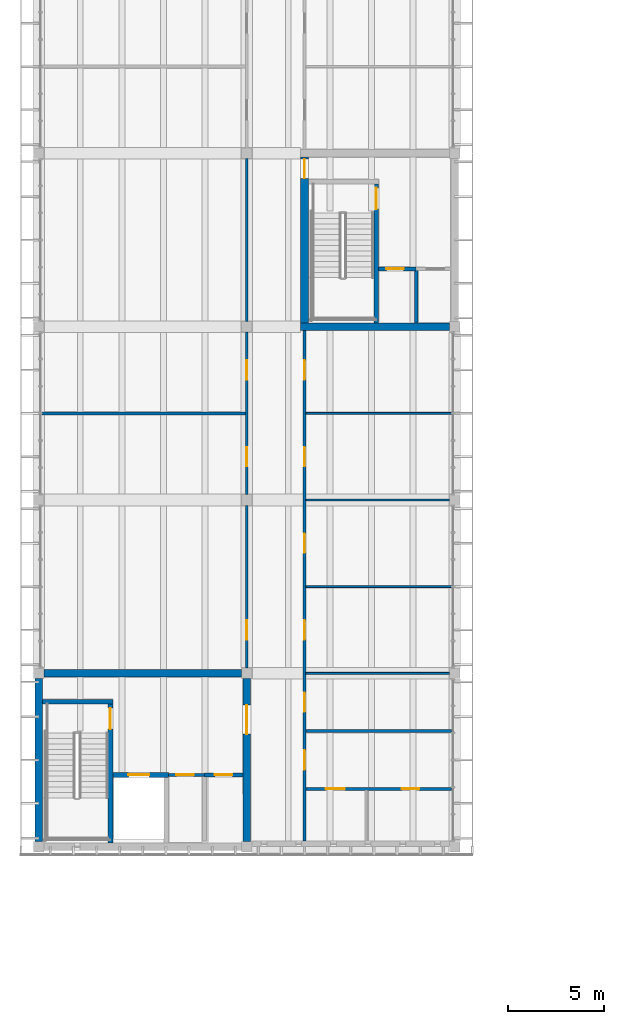
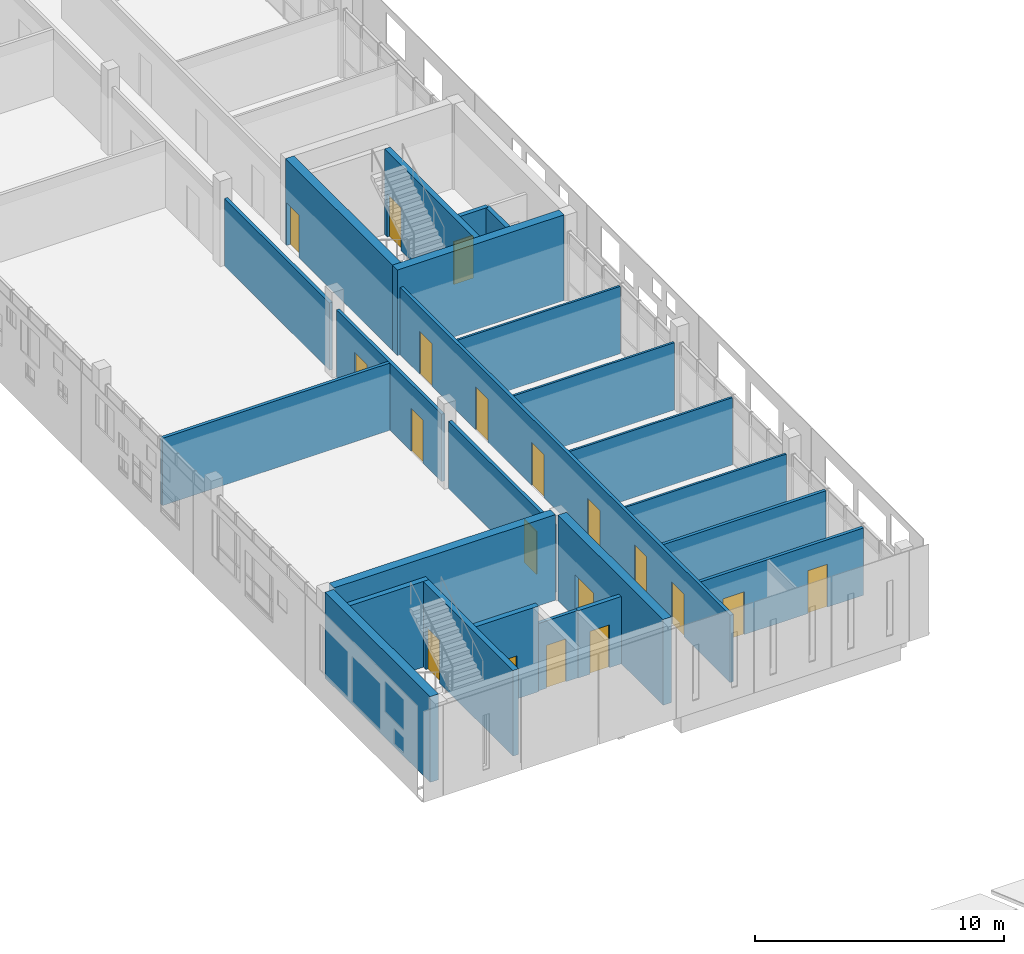
# One storey, part 44 of 74: 24 walls, 19 doors, 19 openings.
"""IFC4 building model written with IfcOpenShell, lengths in metres."""

from ifc_helpers import new_model, si_unit, direction, frame, frame_2d, origin, place, context, subcontext, project, spatial, rectangle, extrude, material, layer, layer_set, type_object, element, fill, save


model = new_model("IFC4")

# Units and contexts
model_context = context("Model", 3, precision=1e-05, world=origin(), true_north=direction((0.0, 1.0)))
body_context = subcontext(model_context, "Body", "Model", "MODEL_VIEW")
ifc_project = project(units=[si_unit("LENGTHUNIT", "METRE"), si_unit("AREAUNIT", "SQUARE_METRE"), si_unit("VOLUMEUNIT", "CUBIC_METRE"), si_unit("PLANEANGLEUNIT", "RADIAN"), si_unit("MASSUNIT", "GRAM", prefix="KILO")], contexts=[model_context])

# Site, building, storey
site_placement = place(None, origin())
site = spatial("IfcSite", under=ifc_project, at=site_placement, CompositionType="ELEMENT")
building_placement = place(site_placement, origin())
building = spatial("IfcBuilding", under=site, at=building_placement, Name="Merrow Basin Faculty of Sciences", CompositionType="ELEMENT")
storey_placement = place(building_placement, frame((0.0, 0.0, 13.5)))
storey = spatial("IfcBuildingStorey", under=building, at=storey_placement, Name="L03", CompositionType="ELEMENT", Elevation=13.5)

# Wall, openings, doors
ifc_material_1 = material(Name="Fire-rated gypsum board")
ifc_layer_1 = layer(ifc_material_1, 0.14990234375)
ifc_layer_set_1 = layer_set([ifc_layer_1], Name="Corridor partition 150 fire-rated board on steel studs")
wall_type_1 = type_object("IfcWallType", Name="Corridor partition 150 fire-rated board on steel studs", PredefinedType="PARTITIONING", material=ifc_layer_set_1)
wall_1_placement = place(storey_placement, frame((13.800048828125, 61.300048828125, 0.0), z_axis=(0.0, 0.0, 1.0), x_axis=(0.0, 1.0, 0.0)))
wall_1 = element("IfcWall", 1, at=wall_1_placement, inside=storey, type_object=wall_type_1, Name="IW151 L03 006", PredefinedType="PARTITIONING", context=body_context, shape_type="SweptSolid", body=[
    extrude(rectangle(XDim=26.5, YDim=0.14990234375, at=frame_2d((13.25, 0.0))), origin(), (0.0, 0.0, 1.0), 3.300048828125),
])
opening_1_placement = place(wall_1_placement, frame((3.699951171875, 0.0, 0.0)))
opening_1 = element("IfcOpeningElement", 2, at=opening_1_placement, cuts=wall_1, Name="Opening D03B014", PredefinedType="OPENING", context=body_context, shape_type="SweptSolid", body=[
    extrude(rectangle(XDim=1.0, YDim=2.10009765625, at=frame_2d((0.5, 1.050048828125))), frame((0.0, 0.0849609375, 0.0), z_axis=(0.0, -1.0, 0.0), x_axis=(1.0, 0.0, 0.0)), (0.0, 0.0, 1.0), 0.169921875),
])
opening_2_placement = place(wall_1_placement, frame((10.449951171875, 0.0, 0.0)))
opening_2 = element("IfcOpeningElement", 3, at=opening_2_placement, cuts=wall_1, Name="Opening D03B022", PredefinedType="OPENING", context=body_context, shape_type="SweptSolid", body=[
    extrude(rectangle(XDim=1.0, YDim=2.10009765625, at=frame_2d((0.5, 1.050048828125))), frame((0.0, 0.0849609375, 0.0), z_axis=(0.0, -1.0, 0.0), x_axis=(1.0, 0.0, 0.0)), (0.0, 0.0, 1.0), 0.169921875),
])
opening_3_placement = place(wall_1_placement, frame((14.949951171875, 0.0, 0.0)))
opening_3 = element("IfcOpeningElement", 4, at=opening_3_placement, cuts=wall_1, Name="Opening D03B023", PredefinedType="OPENING", context=body_context, shape_type="SweptSolid", body=[
    extrude(rectangle(XDim=1.0, YDim=2.10009765625, at=frame_2d((0.5, 1.050048828125))), frame((0.0, 0.0849609375, 0.0), z_axis=(0.0, -1.0, 0.0), x_axis=(1.0, 0.0, 0.0)), (0.0, 0.0, 1.0), 0.169921875),
])
opening_4_placement = place(wall_1_placement, frame((19.449951171875, 0.0, 0.0)))
opening_4 = element("IfcOpeningElement", 5, at=opening_4_placement, cuts=wall_1, Name="Opening D03B024", PredefinedType="OPENING", context=body_context, shape_type="SweptSolid", body=[
    extrude(rectangle(XDim=1.0, YDim=2.10009765625, at=frame_2d((0.5, 1.050048828125))), frame((0.0, 0.0849609375, 0.0), z_axis=(0.0, -1.0, 0.0), x_axis=(1.0, 0.0, 0.0)), (0.0, 0.0, 1.0), 0.169921875),
])
opening_5_placement = place(wall_1_placement, frame((23.949951171875, 0.0, 0.0)))
opening_5 = element("IfcOpeningElement", 6, at=opening_5_placement, cuts=wall_1, Name="Opening D03B025", PredefinedType="OPENING", context=body_context, shape_type="SweptSolid", body=[
    extrude(rectangle(XDim=1.0, YDim=2.10009765625, at=frame_2d((0.5, 1.050048828125))), frame((0.0, 0.0849609375, 0.0), z_axis=(0.0, -1.0, 0.0), x_axis=(1.0, 0.0, 0.0)), (0.0, 0.0, 1.0), 0.169921875),
])
opening_6_placement = place(wall_1_placement, frame((6.699951171875, 0.0, 0.0)))
opening_6 = element("IfcOpeningElement", 7, at=opening_6_placement, cuts=wall_1, Name="Opening D03B029", PredefinedType="OPENING", context=body_context, shape_type="SweptSolid", body=[
    extrude(rectangle(XDim=1.0, YDim=2.10009765625, at=frame_2d((0.5, 1.050048828125))), frame((0.0, 0.0849609375, 0.0), z_axis=(0.0, -1.0, 0.0), x_axis=(1.0, 0.0, 0.0)), (0.0, 0.0, 1.0), 0.169921875),
])
ifc_material_2 = material(Name="Timber door leaf", Category="wood")
door_type_1 = type_object("IfcDoorType", Name="Single swing door 1000 x 2100", OperationType="NOTDEFINED", PredefinedType="DOOR", material=ifc_material_2)
door_1_placement = place(opening_1_placement, origin())
door_1 = element("IfcDoor", 8, at=door_1_placement, inside=storey, type_object=door_type_1, Name="Door D03B014", OperationType="SINGLE_SWING_LEFT", OverallHeight=2.10009765625, OverallWidth=1.0, PredefinedType="DOOR", context=body_context, shape_type="SweptSolid", body=[
    extrude(rectangle(XDim=1.0, YDim=2.10009765625, at=frame_2d((0.5, 1.050048828125))), frame((0.0, 0.02490234375, 0.0), z_axis=(0.0, -1.0, 0.0), x_axis=(1.0, 0.0, 0.0)), (0.0, 0.0, 1.0), 0.050048828125),
])
fill(opening_1, door_1)
door_2_placement = place(opening_2_placement, origin())
door_2 = element("IfcDoor", 9, at=door_2_placement, inside=storey, type_object=door_type_1, Name="Door D03B022", OperationType="SINGLE_SWING_LEFT", OverallHeight=2.10009765625, OverallWidth=1.0, PredefinedType="DOOR", context=body_context, shape_type="SweptSolid", body=[
    extrude(rectangle(XDim=1.0, YDim=2.10009765625, at=frame_2d((0.5, 1.050048828125))), frame((0.0, 0.02490234375, 0.0), z_axis=(0.0, -1.0, 0.0), x_axis=(1.0, 0.0, 0.0)), (0.0, 0.0, 1.0), 0.050048828125),
])
fill(opening_2, door_2)
door_3_placement = place(opening_3_placement, origin())
door_3 = element("IfcDoor", 10, at=door_3_placement, inside=storey, type_object=door_type_1, Name="Door D03B023", OperationType="SINGLE_SWING_LEFT", OverallHeight=2.10009765625, OverallWidth=1.0, PredefinedType="DOOR", context=body_context, shape_type="SweptSolid", body=[
    extrude(rectangle(XDim=1.0, YDim=2.10009765625, at=frame_2d((0.5, 1.050048828125))), frame((0.0, 0.02490234375, 0.0), z_axis=(0.0, -1.0, 0.0), x_axis=(1.0, 0.0, 0.0)), (0.0, 0.0, 1.0), 0.050048828125),
])
fill(opening_3, door_3)
door_4_placement = place(opening_4_placement, origin())
door_4 = element("IfcDoor", 11, at=door_4_placement, inside=storey, type_object=door_type_1, Name="Door D03B024", OperationType="SINGLE_SWING_LEFT", OverallHeight=2.10009765625, OverallWidth=1.0, PredefinedType="DOOR", context=body_context, shape_type="SweptSolid", body=[
    extrude(rectangle(XDim=1.0, YDim=2.10009765625, at=frame_2d((0.5, 1.050048828125))), frame((0.0, 0.02490234375, 0.0), z_axis=(0.0, -1.0, 0.0), x_axis=(1.0, 0.0, 0.0)), (0.0, 0.0, 1.0), 0.050048828125),
])
fill(opening_4, door_4)
door_5_placement = place(opening_5_placement, origin())
door_5 = element("IfcDoor", 12, at=door_5_placement, inside=storey, type_object=door_type_1, Name="Door D03B025", OperationType="SINGLE_SWING_LEFT", OverallHeight=2.10009765625, OverallWidth=1.0, PredefinedType="DOOR", context=body_context, shape_type="SweptSolid", body=[
    extrude(rectangle(XDim=1.0, YDim=2.10009765625, at=frame_2d((0.5, 1.050048828125))), frame((0.0, 0.02490234375, 0.0), z_axis=(0.0, -1.0, 0.0), x_axis=(1.0, 0.0, 0.0)), (0.0, 0.0, 1.0), 0.050048828125),
])
fill(opening_5, door_5)
door_6_placement = place(opening_6_placement, origin())
door_6 = element("IfcDoor", 13, at=door_6_placement, inside=storey, type_object=door_type_1, Name="Door D03B029", OperationType="SINGLE_SWING_LEFT", OverallHeight=2.10009765625, OverallWidth=1.0, PredefinedType="DOOR", context=body_context, shape_type="SweptSolid", body=[
    extrude(rectangle(XDim=1.0, YDim=2.10009765625, at=frame_2d((0.5, 1.050048828125))), frame((0.0, 0.02490234375, 0.0), z_axis=(0.0, -1.0, 0.0), x_axis=(1.0, 0.0, 0.0)), (0.0, 0.0, 1.0), 0.050048828125),
])
fill(opening_6, door_6)

wall_2_placement = place(storey_placement, frame((13.875, 64.0, 0.0), z_axis=(0.0, 0.0, 1.0), x_axis=(1.0, 0.0, 0.0)))
wall_2 = element("IfcWall", 14, at=wall_2_placement, inside=storey, type_object=wall_type_1, Name="IW151 L03 008", PredefinedType="PARTITIONING", context=body_context, shape_type="SweptSolid", body=[
    extrude(rectangle(XDim=7.544921875, YDim=0.14990234375, at=frame_2d((3.7724609375, 0.0))), origin(), (0.0, 0.0, 1.0), 3.300048828125),
])
opening_7_placement = place(wall_2_placement, frame((1.02490234375, 0.0, 0.0)))
opening_7 = element("IfcOpeningElement", 15, at=opening_7_placement, cuts=wall_2, Name="Opening D03B012", PredefinedType="OPENING", context=body_context, shape_type="SweptSolid", body=[
    extrude(rectangle(XDim=1.0, YDim=2.10009765625, at=frame_2d((0.5, 1.050048828125))), frame((0.0, 0.0849609375, 0.0), z_axis=(0.0, -1.0, 0.0), x_axis=(1.0, 0.0, 0.0)), (0.0, 0.0, 1.0), 0.169921875),
])
opening_8_placement = place(wall_2_placement, frame((4.97509765625, 0.0, 0.0)))
opening_8 = element("IfcOpeningElement", 16, at=opening_8_placement, cuts=wall_2, Name="Opening D03B013", PredefinedType="OPENING", context=body_context, shape_type="SweptSolid", body=[
    extrude(rectangle(XDim=0.89990234375, YDim=2.10009765625, at=frame_2d((0.449951171875, 1.050048828125))), frame((0.0, 0.0849609375, 0.0), z_axis=(0.0, -1.0, 0.0), x_axis=(1.0, 0.0, 0.0)), (0.0, 0.0, 1.0), 0.169921875),
])
ifc_material_3 = material(Name="Timber door leaf", Category="wood")
door_type_2 = type_object("IfcDoorType", Name="Accessible door 1000 x 2100", OperationType="NOTDEFINED", PredefinedType="DOOR", material=ifc_material_3)
door_7_placement = place(opening_7_placement, origin())
door_7 = element("IfcDoor", 17, at=door_7_placement, inside=storey, type_object=door_type_2, Name="Door D03B012", OperationType="SINGLE_SWING_LEFT", OverallHeight=2.10009765625, OverallWidth=1.0, PredefinedType="DOOR", context=body_context, shape_type="SweptSolid", body=[
    extrude(rectangle(XDim=1.0, YDim=2.10009765625, at=frame_2d((0.5, 1.050048828125))), frame((0.0, 0.02490234375, 0.0), z_axis=(0.0, -1.0, 0.0), x_axis=(1.0, 0.0, 0.0)), (0.0, 0.0, 1.0), 0.050048828125),
])
fill(opening_7, door_7)
ifc_material_4 = material(Name="Timber door leaf", Category="wood")
door_type_3 = type_object("IfcDoorType", Name="Single swing door 900 x 2100", OperationType="NOTDEFINED", PredefinedType="DOOR", material=ifc_material_4)
door_8_placement = place(opening_8_placement, origin())
door_8 = element("IfcDoor", 18, at=door_8_placement, inside=storey, type_object=door_type_3, Name="Door D03B013", OperationType="SINGLE_SWING_LEFT", OverallHeight=2.10009765625, OverallWidth=0.89990234375, PredefinedType="DOOR", context=body_context, shape_type="SweptSolid", body=[
    extrude(rectangle(XDim=0.89990234375, YDim=2.10009765625, at=frame_2d((0.449951171875, 1.050048828125))), frame((0.0, 0.02490234375, 0.0), z_axis=(0.0, -1.0, 0.0), x_axis=(1.0, 0.0, 0.0)), (0.0, 0.0, 1.0), 0.050048828125),
])
fill(opening_8, door_8)

# Wall, opening, door
wall_3_placement = place(storey_placement, frame((6.75, 64.72509765625, 0.0), z_axis=(0.0, 0.0, 1.0), x_axis=(1.0, 0.0, 0.0)))
wall_3 = element("IfcWall", 19, at=wall_3_placement, inside=storey, type_object=wall_type_1, Name="IW151 L03 009", PredefinedType="PARTITIONING", context=body_context, shape_type="SweptSolid", body=[
    extrude(rectangle(XDim=1.85009765625, YDim=0.14990234375, at=frame_2d((0.925048828125, 0.0))), origin(), (0.0, 0.0, 1.0), 3.300048828125),
])
opening_9_placement = place(wall_3_placement, frame((0.39990234375, 0.0, 0.0)))
opening_9 = element("IfcOpeningElement", 20, at=opening_9_placement, cuts=wall_3, Name="Opening D03B002", PredefinedType="OPENING", context=body_context, shape_type="SweptSolid", body=[
    extrude(rectangle(XDim=0.89990234375, YDim=2.10009765625, at=frame_2d((0.449951171875, 1.050048828125))), frame((0.0, 0.0849609375, 0.0), z_axis=(0.0, -1.0, 0.0), x_axis=(1.0, 0.0, 0.0)), (0.0, 0.0, 1.0), 0.169921875),
])
ifc_material_5 = material(Name="Fire-rated steel door", Category="steel")
door_type_4 = type_object("IfcDoorType", Name="Fire door FD60 900 x 2100", OperationType="NOTDEFINED", PredefinedType="DOOR", material=ifc_material_5)
door_9_placement = place(opening_9_placement, origin())
door_9 = element("IfcDoor", 21, at=door_9_placement, inside=storey, type_object=door_type_4, Name="Door D03B002", OperationType="SINGLE_SWING_LEFT", OverallHeight=2.10009765625, OverallWidth=0.89990234375, PredefinedType="DOOR", context=body_context, shape_type="SweptSolid", body=[
    extrude(rectangle(XDim=0.89990234375, YDim=2.10009765625, at=frame_2d((0.449951171875, 1.050048828125))), frame((0.0, 0.02490234375, 0.0), z_axis=(0.0, -1.0, 0.0), x_axis=(1.0, 0.0, 0.0)), (0.0, 0.0, 1.0), 0.050048828125),
])
fill(opening_9, door_9)

# Wall
wall_4_placement = place(storey_placement, frame((13.875, 67.0, 0.0), z_axis=(0.0, 0.0, 1.0), x_axis=(1.0, 0.0, 0.0)))
element("IfcWall", 22, at=wall_4_placement, inside=storey, type_object=wall_type_1, Name="IW151 L03 010", PredefinedType="PARTITIONING", context=body_context, shape_type="SweptSolid", body=[
    extrude(rectangle(XDim=7.544921875, YDim=0.14990234375, at=frame_2d((3.7724609375, 0.0))), origin(), (0.0, 0.0, 1.0), 3.300048828125),
])

# Wall, opening, door
ifc_material_6 = material(Name="Fire-rated gypsum board")
ifc_layer_2 = layer(ifc_material_6, 0.14990234375)
ifc_layer_set_2 = layer_set([ifc_layer_2], Name="Laboratory partition 150 fire-rated board on steel studs")
wall_type_2 = type_object("IfcWallType", Name="Laboratory partition 150 fire-rated board on steel studs", PredefinedType="PARTITIONING", material=ifc_layer_set_2)
wall_5_placement = place(storey_placement, frame((10.800048828125, 70.27490234375, 0.0), z_axis=(0.0, 0.0, 1.0), x_axis=(0.0, 1.0, 0.0)))
wall_5 = element("IfcWall", 23, at=wall_5_placement, inside=storey, type_object=wall_type_2, Name="IW150 L03 013", PredefinedType="PARTITIONING", context=body_context, shape_type="SweptSolid", body=[
    extrude(rectangle(XDim=8.4501953125, YDim=0.14990234375, at=frame_2d((4.22509765625, 0.0))), origin(), (0.0, 0.0, 1.0), 3.300048828125),
])
opening_10_placement = place(wall_5_placement, frame((1.47509765625, 0.0, 0.0)))
opening_10 = element("IfcOpeningElement", 24, at=opening_10_placement, cuts=wall_5, Name="Opening D03B015", PredefinedType="OPENING", context=body_context, shape_type="SweptSolid", body=[
    extrude(rectangle(XDim=1.0, YDim=2.10009765625, at=frame_2d((0.5, 1.050048828125))), frame((0.0, 0.0849609375, 0.0), z_axis=(0.0, -1.0, 0.0), x_axis=(1.0, 0.0, 0.0)), (0.0, 0.0, 1.0), 0.169921875),
])
ifc_material_7 = material(Name="Fire-rated steel door", Category="steel")
door_type_5 = type_object("IfcDoorType", Name="Fire door FD60 1000 x 2100", OperationType="NOTDEFINED", PredefinedType="DOOR", material=ifc_material_7)
door_10_placement = place(opening_10_placement, origin())
door_10 = element("IfcDoor", 25, at=door_10_placement, inside=storey, type_object=door_type_5, Name="Door D03B015", OperationType="SINGLE_SWING_LEFT", OverallHeight=2.10009765625, OverallWidth=1.0, PredefinedType="DOOR", context=body_context, shape_type="SweptSolid", body=[
    extrude(rectangle(XDim=1.0, YDim=2.10009765625, at=frame_2d((0.5, 1.050048828125))), frame((0.0, 0.02490234375, 0.0), z_axis=(0.0, -1.0, 0.0), x_axis=(1.0, 0.0, 0.0)), (0.0, 0.0, 1.0), 0.050048828125),
])
fill(opening_10, door_10)

# Wall, openings, doors
wall_6_placement = place(storey_placement, frame((10.800048828125, 79.27490234375, 0.0), z_axis=(0.0, 0.0, 1.0), x_axis=(0.0, 1.0, 0.0)))
wall_6 = element("IfcWall", 26, at=wall_6_placement, inside=storey, type_object=wall_type_2, Name="IW150 L03 014", PredefinedType="PARTITIONING", context=body_context, shape_type="SweptSolid", body=[
    extrude(rectangle(XDim=8.4501953125, YDim=0.14990234375, at=frame_2d((4.22509765625, 0.0))), origin(), (0.0, 0.0, 1.0), 3.300048828125),
])
opening_11_placement = place(wall_6_placement, frame((1.47509765625, 0.0, 0.0)))
opening_11 = element("IfcOpeningElement", 27, at=opening_11_placement, cuts=wall_6, Name="Opening D03B016", PredefinedType="OPENING", context=body_context, shape_type="SweptSolid", body=[
    extrude(rectangle(XDim=1.0, YDim=2.10009765625, at=frame_2d((0.5, 1.050048828125))), frame((0.0, 0.0849609375, 0.0), z_axis=(0.0, -1.0, 0.0), x_axis=(1.0, 0.0, 0.0)), (0.0, 0.0, 1.0), 0.169921875),
])
opening_12_placement = place(wall_6_placement, frame((5.97509765625, 0.0, 0.0)))
opening_12 = element("IfcOpeningElement", 28, at=opening_12_placement, cuts=wall_6, Name="Opening D03B017", PredefinedType="OPENING", context=body_context, shape_type="SweptSolid", body=[
    extrude(rectangle(XDim=1.0, YDim=2.10009765625, at=frame_2d((0.5, 1.050048828125))), frame((0.0, 0.0849609375, 0.0), z_axis=(0.0, -1.0, 0.0), x_axis=(1.0, 0.0, 0.0)), (0.0, 0.0, 1.0), 0.169921875),
])
door_11_placement = place(opening_11_placement, origin())
door_11 = element("IfcDoor", 29, at=door_11_placement, inside=storey, type_object=door_type_5, Name="Door D03B016", OperationType="SINGLE_SWING_RIGHT", OverallHeight=2.10009765625, OverallWidth=1.0, PredefinedType="DOOR", context=body_context, shape_type="SweptSolid", body=[
    extrude(rectangle(XDim=1.0, YDim=2.10009765625, at=frame_2d((0.5, 1.050048828125))), frame((0.0, 0.02490234375, 0.0), z_axis=(0.0, -1.0, 0.0), x_axis=(1.0, 0.0, 0.0)), (0.0, 0.0, 1.0), 0.050048828125),
])
fill(opening_11, door_11)
door_12_placement = place(opening_12_placement, origin())
door_12 = element("IfcDoor", 30, at=door_12_placement, inside=storey, type_object=door_type_5, Name="Door D03B017", OperationType="SINGLE_SWING_LEFT", OverallHeight=2.10009765625, OverallWidth=1.0, PredefinedType="DOOR", context=body_context, shape_type="SweptSolid", body=[
    extrude(rectangle(XDim=1.0, YDim=2.10009765625, at=frame_2d((0.5, 1.050048828125))), frame((0.0, 0.02490234375, 0.0), z_axis=(0.0, -1.0, 0.0), x_axis=(1.0, 0.0, 0.0)), (0.0, 0.0, 1.0), 0.050048828125),
])
fill(opening_12, door_12)

# Walls
wall_7_placement = place(storey_placement, frame((10.800048828125, 88.27490234375, 0.0), z_axis=(0.0, 0.0, 1.0), x_axis=(0.0, 1.0, 0.0)))
element("IfcWall", 31, at=wall_7_placement, inside=storey, type_object=wall_type_2, Name="IW150 L03 015", PredefinedType="PARTITIONING", context=body_context, shape_type="SweptSolid", body=[
    extrude(rectangle(XDim=8.4501953125, YDim=0.14990234375, at=frame_2d((4.22509765625, 0.0))), origin(), (0.0, 0.0, 1.0), 3.300048828125),
])
wall_8_placement = place(storey_placement, frame((0.179931640625, 83.5, 0.0), z_axis=(0.0, 0.0, 1.0), x_axis=(1.0, 0.0, 0.0)))
element("IfcWall", 32, at=wall_8_placement, inside=storey, type_object=wall_type_2, Name="IW150 L03 019", PredefinedType="PARTITIONING", context=body_context, shape_type="SweptSolid", body=[
    extrude(rectangle(XDim=10.545166015625, YDim=0.14990234375, at=frame_2d((5.2724609375, 0.0))), origin(), (0.0, 0.0, 1.0), 3.300048828125),
])
ifc_material_8 = material(Name="Gypsum board")
ifc_layer_3 = layer(ifc_material_8, 0.10009765625)
ifc_layer_set_3 = layer_set([ifc_layer_3], Name="Partition 100 gypsum board on steel studs")
wall_type_3 = type_object("IfcWallType", Name="Partition 100 gypsum board on steel studs", PredefinedType="PARTITIONING", material=ifc_layer_set_3)
wall_9_placement = place(storey_placement, frame((13.875, 70.0, 0.0), z_axis=(0.0, 0.0, 1.0), x_axis=(1.0, 0.0, 0.0)))
element("IfcWall", 33, at=wall_9_placement, inside=storey, type_object=wall_type_3, Name="IW100 L03 023", PredefinedType="PARTITIONING", context=body_context, shape_type="SweptSolid", body=[
    extrude(rectangle(XDim=7.449951171875, YDim=0.10009765625, at=frame_2d((3.72509765625, 0.0))), origin(), (0.0, 0.0, 1.0), 3.300048828125),
])
wall_10_placement = place(storey_placement, frame((13.875, 74.5, 0.0), z_axis=(0.0, 0.0, 1.0), x_axis=(1.0, 0.0, 0.0)))
element("IfcWall", 34, at=wall_10_placement, inside=storey, type_object=wall_type_3, Name="IW100 L03 024", PredefinedType="PARTITIONING", context=body_context, shape_type="SweptSolid", body=[
    extrude(rectangle(XDim=7.544921875, YDim=0.10009765625, at=frame_2d((3.7724609375, 0.0))), origin(), (0.0, 0.0, 1.0), 3.300048828125),
])
wall_11_placement = place(storey_placement, frame((13.875, 79.0, 0.0), z_axis=(0.0, 0.0, 1.0), x_axis=(1.0, 0.0, 0.0)))
element("IfcWall", 35, at=wall_11_placement, inside=storey, type_object=wall_type_3, Name="IW100 L03 025", PredefinedType="PARTITIONING", context=body_context, shape_type="SweptSolid", body=[
    extrude(rectangle(XDim=7.449951171875, YDim=0.10009765625, at=frame_2d((3.72509765625, 0.0))), origin(), (0.0, 0.0, 1.0), 3.300048828125),
])
wall_12_placement = place(storey_placement, frame((13.875, 83.5, 0.0), z_axis=(0.0, 0.0, 1.0), x_axis=(1.0, 0.0, 0.0)))
element("IfcWall", 36, at=wall_12_placement, inside=storey, type_object=wall_type_3, Name="IW100 L03 026", PredefinedType="PARTITIONING", context=body_context, shape_type="SweptSolid", body=[
    extrude(rectangle(XDim=7.544921875, YDim=0.10009765625, at=frame_2d((3.7724609375, 0.0))), origin(), (0.0, 0.0, 1.0), 3.300048828125),
])
ifc_material_9 = material(Name="Fire-rated gypsum board")
ifc_layer_4 = layer(ifc_material_9, 0.199951171875)
ifc_layer_set_4 = layer_set([ifc_layer_4], Name="Riser lining 200 fire-rated board on steel studs")
wall_type_4 = type_object("IfcWallType", Name="Riser lining 200 fire-rated board on steel studs", PredefinedType="PARTITIONING", material=ifc_layer_set_4)
wall_13_placement = place(storey_placement, frame((19.60009765625, 88.199951171875, 0.0), z_axis=(0.0, 0.0, 1.0), x_axis=(0.0, 1.0, 0.0)))
element("IfcWall", 37, at=wall_13_placement, inside=storey, type_object=wall_type_4, Name="IW200 L03 002", PredefinedType="PARTITIONING", context=body_context, shape_type="SweptSolid", body=[
    extrude(rectangle(XDim=2.800048828125, YDim=0.199951171875, at=frame_2d((1.39990234375, 0.0))), origin(), (0.0, 0.0, 1.0), 3.300048828125),
])

# Wall, opening, door
wall_14_placement = place(storey_placement, frame((8.60009765625, 64.72509765625, 0.0), z_axis=(0.0, 0.0, 1.0), x_axis=(1.0, 0.0, 0.0)))
wall_14 = element("IfcWall", 38, at=wall_14_placement, inside=storey, type_object=wall_type_4, Name="IW200 L03 003", PredefinedType="PARTITIONING", context=body_context, shape_type="SweptSolid", body=[
    extrude(rectangle(XDim=2.0, YDim=0.199951171875, at=frame_2d((1.0, 0.0))), origin(), (0.0, 0.0, 1.0), 3.300048828125),
])
opening_13_placement = place(wall_14_placement, frame((0.550048828125, 0.0, 0.0)))
opening_13 = element("IfcOpeningElement", 39, at=opening_13_placement, cuts=wall_14, Name="Opening D03B003", PredefinedType="OPENING", context=body_context, shape_type="SweptSolid", body=[
    extrude(rectangle(XDim=0.89990234375, YDim=2.10009765625, at=frame_2d((0.449951171875, 1.050048828125))), frame((0.0, 0.10986328125, 0.0), z_axis=(0.0, -1.0, 0.0), x_axis=(1.0, 0.0, 0.0)), (0.0, 0.0, 1.0), 0.219970703125),
])
door_13_placement = place(opening_13_placement, origin())
door_13 = element("IfcDoor", 40, at=door_13_placement, inside=storey, type_object=door_type_4, Name="Door D03B003", OperationType="SINGLE_SWING_LEFT", OverallHeight=2.10009765625, OverallWidth=0.89990234375, PredefinedType="DOOR", context=body_context, shape_type="SweptSolid", body=[
    extrude(rectangle(XDim=0.89990234375, YDim=2.10009765625, at=frame_2d((0.449951171875, 1.050048828125))), frame((0.0, 0.02490234375, 0.0), z_axis=(0.0, -1.0, 0.0), x_axis=(1.0, 0.0, 0.0)), (0.0, 0.0, 1.0), 0.050048828125),
])
fill(opening_13, door_13)

wall_15_placement = place(storey_placement, frame((17.64990234375, 91.0, 0.0), z_axis=(0.0, 0.0, 1.0), x_axis=(1.0, 0.0, 0.0)))
wall_15 = element("IfcWall", 41, at=wall_15_placement, inside=storey, type_object=wall_type_4, Name="IW200 L03 004", PredefinedType="PARTITIONING", context=body_context, shape_type="SweptSolid", body=[
    extrude(rectangle(XDim=1.9501953125, YDim=0.199951171875, at=frame_2d((0.97509765625, 0.0))), origin(), (0.0, 0.0, 1.0), 3.300048828125),
])
opening_14_placement = place(wall_15_placement, frame((0.39990234375, 0.0, 0.0)))
opening_14 = element("IfcOpeningElement", 42, at=opening_14_placement, cuts=wall_15, Name="Opening D03B007", PredefinedType="OPENING", context=body_context, shape_type="SweptSolid", body=[
    extrude(rectangle(XDim=0.89990234375, YDim=2.10009765625, at=frame_2d((0.449951171875, 1.050048828125))), frame((0.0, 0.10986328125, 0.0), z_axis=(0.0, -1.0, 0.0), x_axis=(1.0, 0.0, 0.0)), (0.0, 0.0, 1.0), 0.219970703125),
])
door_14_placement = place(opening_14_placement, origin())
door_14 = element("IfcDoor", 43, at=door_14_placement, inside=storey, type_object=door_type_4, Name="Door D03B007", OperationType="SINGLE_SWING_LEFT", OverallHeight=2.10009765625, OverallWidth=0.89990234375, PredefinedType="DOOR", context=body_context, shape_type="SweptSolid", body=[
    extrude(rectangle(XDim=0.89990234375, YDim=2.10009765625, at=frame_2d((0.449951171875, 1.050048828125))), frame((0.0, 0.02490234375, 0.0), z_axis=(0.0, -1.0, 0.0), x_axis=(1.0, 0.0, 0.0)), (0.0, 0.0, 1.0), 0.050048828125),
])
fill(opening_14, door_14)

# Wall
ifc_material_10 = material(Name="Concrete C40/50", Category="concrete")
ifc_layer_5 = layer(ifc_material_10, 0.25)
ifc_layer_set_5 = layer_set([ifc_layer_5], Name="Shear wall 250 Concrete C40/50")
wall_type_5 = type_object("IfcWallType", Name="Shear wall 250 Concrete C40/50", PredefinedType="SHEAR", material=ifc_layer_set_5)
wall_16_placement = place(storey_placement, frame((0.199951171875, 68.52490234375, 0.0), z_axis=(0.0, 0.0, 1.0), x_axis=(1.0, 0.0, 0.0)))
element("IfcWall", 44, at=wall_16_placement, inside=storey, type_object=wall_type_5, Name="SW2 L03 005", PredefinedType="SHEAR", context=body_context, shape_type="SweptSolid", body=[
    extrude(rectangle(XDim=3.650146484375, YDim=0.25, at=frame_2d((1.8251953125, 0.0))), origin(), (0.0, 0.0, 1.0), 4.199951171875),
])

# Wall, opening, door
wall_17_placement = place(storey_placement, frame((3.72509765625, 61.199951171875, 0.0), z_axis=(0.0, 0.0, 1.0), x_axis=(0.0, 1.0, 0.0)))
wall_17 = element("IfcWall", 45, at=wall_17_placement, inside=storey, type_object=wall_type_5, Name="SW2 L03 006", PredefinedType="SHEAR", context=body_context, shape_type="SweptSolid", body=[
    extrude(rectangle(XDim=7.199951171875, YDim=0.25, at=frame_2d((3.60009765625, 0.0))), origin(), (0.0, 0.0, 1.0), 4.199951171875),
])
opening_15_placement = place(wall_17_placement, frame((5.89990234375, 0.0, 0.0)))
opening_15 = element("IfcOpeningElement", 46, at=opening_15_placement, cuts=wall_17, Name="Opening D03B001", PredefinedType="OPENING", context=body_context, shape_type="SweptSolid", body=[
    extrude(rectangle(XDim=1.10009765625, YDim=2.10009765625, at=frame_2d((0.550048828125, 1.050048828125))), frame((0.0, 0.135009765625, 0.0), z_axis=(0.0, -1.0, 0.0), x_axis=(1.0, 0.0, 0.0)), (0.0, 0.0, 1.0), 0.27001953125),
])
ifc_material_11 = material(Name="Fire-rated steel door", Category="steel")
door_type_6 = type_object("IfcDoorType", Name="Fire door FD90 1100 x 2100", OperationType="NOTDEFINED", PredefinedType="DOOR", material=ifc_material_11)
door_15_placement = place(opening_15_placement, origin())
door_15 = element("IfcDoor", 47, at=door_15_placement, inside=storey, type_object=door_type_6, Name="Stair S door", OperationType="SINGLE_SWING_RIGHT", OverallHeight=2.10009765625, OverallWidth=1.10009765625, PredefinedType="DOOR", context=body_context, shape_type="SweptSolid", body=[
    extrude(rectangle(XDim=1.10009765625, YDim=2.10009765625, at=frame_2d((0.550048828125, 1.050048828125))), frame((0.0, 0.02490234375, 0.0), z_axis=(0.0, -1.0, 0.0), x_axis=(1.0, 0.0, 0.0)), (0.0, 0.0, 1.0), 0.050048828125),
])
fill(opening_15, door_15)

wall_18_placement = place(storey_placement, frame((3.85009765625, 64.72509765625, 0.0), z_axis=(0.0, 0.0, 1.0), x_axis=(1.0, 0.0, 0.0)))
wall_18 = element("IfcWall", 48, at=wall_18_placement, inside=storey, type_object=wall_type_5, Name="SW2 L03 007", PredefinedType="SHEAR", context=body_context, shape_type="SweptSolid", body=[
    extrude(rectangle(XDim=2.89990234375, YDim=0.25, at=frame_2d((1.449951171875, 0.0))), origin(), (0.0, 0.0, 1.0), 4.199951171875),
])
opening_16_placement = place(wall_18_placement, frame((0.800048828125, 0.0, 0.0)))
opening_16 = element("IfcOpeningElement", 49, at=opening_16_placement, cuts=wall_18, Name="Opening LD03B01", PredefinedType="OPENING", context=body_context, shape_type="SweptSolid", body=[
    extrude(rectangle(XDim=1.10009765625, YDim=2.10009765625, at=frame_2d((0.550048828125, 1.050048828125))), frame((0.0, 0.135009765625, 0.0), z_axis=(0.0, -1.0, 0.0), x_axis=(1.0, 0.0, 0.0)), (0.0, 0.0, 1.0), 0.27001953125),
])
ifc_material_12 = material(Name="Stainless steel sliding door", Category="steel")
door_type_7 = type_object("IfcDoorType", Name="Lift landing door 1100 x 2100 sliding", OperationType="NOTDEFINED", PredefinedType="DOOR", material=ifc_material_12)
door_16_placement = place(opening_16_placement, origin())
door_16 = element("IfcDoor", 50, at=door_16_placement, inside=storey, type_object=door_type_7, Name="Landing door LF1 L03", OperationType="SLIDING_TO_LEFT", OverallHeight=2.10009765625, OverallWidth=1.10009765625, PredefinedType="DOOR", context=body_context, shape_type="SweptSolid", body=[
    extrude(rectangle(XDim=1.10009765625, YDim=2.10009765625, at=frame_2d((0.550048828125, 1.050048828125))), frame((0.0, 0.02490234375, 0.0), z_axis=(0.0, -1.0, 0.0), x_axis=(1.0, 0.0, 0.0)), (0.0, 0.0, 1.0), 0.050048828125),
])
fill(opening_16, door_16)

wall_19_placement = place(storey_placement, frame((17.52490234375, 88.199951171875, 0.0), z_axis=(0.0, 0.0, 1.0), x_axis=(0.0, 1.0, 0.0)))
wall_19 = element("IfcWall", 51, at=wall_19_placement, inside=storey, type_object=wall_type_5, Name="SW2 L03 014", PredefinedType="SHEAR", context=body_context, shape_type="SweptSolid", body=[
    extrude(rectangle(XDim=7.199951171875, YDim=0.25, at=frame_2d((3.60009765625, 0.0))), origin(), (0.0, 0.0, 1.0), 4.199951171875),
])
opening_17_placement = place(wall_19_placement, frame((5.89990234375, 0.0, 0.0)))
opening_17 = element("IfcOpeningElement", 52, at=opening_17_placement, cuts=wall_19, Name="Opening D03B005", PredefinedType="OPENING", context=body_context, shape_type="SweptSolid", body=[
    extrude(rectangle(XDim=1.10009765625, YDim=2.10009765625, at=frame_2d((0.550048828125, 1.050048828125))), frame((0.0, 0.135009765625, 0.0), z_axis=(0.0, -1.0, 0.0), x_axis=(1.0, 0.0, 0.0)), (0.0, 0.0, 1.0), 0.27001953125),
])
door_17_placement = place(opening_17_placement, origin())
door_17 = element("IfcDoor", 53, at=door_17_placement, inside=storey, type_object=door_type_6, Name="Door D03B005", OperationType="SINGLE_SWING_RIGHT", OverallHeight=2.10009765625, OverallWidth=1.10009765625, PredefinedType="DOOR", context=body_context, shape_type="SweptSolid", body=[
    extrude(rectangle(XDim=1.10009765625, YDim=2.10009765625, at=frame_2d((0.550048828125, 1.050048828125))), frame((0.0, 0.02490234375, 0.0), z_axis=(0.0, -1.0, 0.0), x_axis=(1.0, 0.0, 0.0)), (0.0, 0.0, 1.0), 0.050048828125),
])
fill(opening_17, door_17)

# Walls
ifc_material_13 = material(Name="Concrete C40/50", Category="concrete")
ifc_layer_6 = layer(ifc_material_13, 0.39990234375)
ifc_layer_set_6 = layer_set([ifc_layer_6], Name="Shear wall 400 Concrete C40/50")
wall_type_6 = type_object("IfcWallType", Name="Shear wall 400 Concrete C40/50", PredefinedType="SHEAR", material=ifc_layer_set_6)
wall_20_placement = place(storey_placement, frame((0.27490234375, 70.0, 0.0), z_axis=(0.0, 0.0, 1.0), x_axis=(1.0, 0.0, 0.0)))
element("IfcWall", 54, at=wall_20_placement, inside=storey, type_object=wall_type_6, Name="SW1 L03 002", PredefinedType="SHEAR", context=body_context, shape_type="SweptSolid", body=[
    extrude(rectangle(XDim=10.25, YDim=0.39990234375, at=frame_2d((5.125, 0.0))), origin(), (0.0, 0.0, 1.0), 4.199951171875),
])
wall_21_placement = place(storey_placement, frame((0.0, 61.27490234375, 0.0), z_axis=(0.0, 0.0, 1.0), x_axis=(0.0, 1.0, 0.0)))
element("IfcWall", 55, at=wall_21_placement, inside=storey, type_object=wall_type_6, Name="SW1 L03 003", PredefinedType="SHEAR", context=body_context, shape_type="SweptSolid", body=[
    extrude(rectangle(XDim=8.4501953125, YDim=0.39990234375, at=frame_2d((4.22509765625, 0.0))), origin(), (0.0, 0.0, 1.0), 4.199951171875),
])

# Wall, opening, door
wall_22_placement = place(storey_placement, frame((10.800048828125, 61.27490234375, 0.0), z_axis=(0.0, 0.0, 1.0), x_axis=(0.0, 1.0, 0.0)))
wall_22 = element("IfcWall", 56, at=wall_22_placement, inside=storey, type_object=wall_type_6, Name="SW1 L03 004", PredefinedType="SHEAR", context=body_context, shape_type="SweptSolid", body=[
    extrude(rectangle(XDim=8.4501953125, YDim=0.39990234375, at=frame_2d((4.22509765625, 0.0))), origin(), (0.0, 0.0, 1.0), 4.199951171875),
])
opening_18_placement = place(wall_22_placement, frame((5.574951171875, 0.0, 0.0)))
opening_18 = element("IfcOpeningElement", 57, at=opening_18_placement, cuts=wall_22, Name="Opening D03B004", PredefinedType="OPENING", context=body_context, shape_type="SweptSolid", body=[
    extrude(rectangle(XDim=1.5, YDim=2.10009765625, at=frame_2d((0.75, 1.050048828125))), frame((0.0, 0.2099609375, 0.0), z_axis=(0.0, -1.0, 0.0), x_axis=(1.0, 0.0, 0.0)), (0.0, 0.0, 1.0), 0.419921875),
])
ifc_material_14 = material(Name="Fire-rated steel door", Category="steel")
door_type_8 = type_object("IfcDoorType", Name="Fire door FD60 1500 x 2100", OperationType="NOTDEFINED", PredefinedType="DOOR", material=ifc_material_14)
door_18_placement = place(opening_18_placement, origin())
door_18 = element("IfcDoor", 58, at=door_18_placement, inside=storey, type_object=door_type_8, Name="Door D03B004", OperationType="DOUBLE_DOOR_SINGLE_SWING", OverallHeight=2.10009765625, OverallWidth=1.5, PredefinedType="DOOR", context=body_context, shape_type="SweptSolid", body=[
    extrude(rectangle(XDim=1.5, YDim=2.10009765625, at=frame_2d((0.75, 1.050048828125))), frame((0.0, 0.02490234375, 0.0), z_axis=(0.0, -1.0, 0.0), x_axis=(1.0, 0.0, 0.0)), (0.0, 0.0, 1.0), 0.050048828125),
])
fill(opening_18, door_18)

# Wall
wall_23_placement = place(storey_placement, frame((13.60009765625, 88.0, 0.0), z_axis=(0.0, 0.0, 1.0), x_axis=(1.0, 0.0, 0.0)))
element("IfcWall", 59, at=wall_23_placement, inside=storey, type_object=wall_type_6, Name="SW1 L03 009", PredefinedType="SHEAR", context=body_context, shape_type="SweptSolid", body=[
    extrude(rectangle(XDim=7.724853515625, YDim=0.39990234375, at=frame_2d((3.8623046875, 0.0))), origin(), (0.0, 0.0, 1.0), 4.199951171875),
])

# Wall, opening, door
wall_24_placement = place(storey_placement, frame((13.800048828125, 88.199951171875, 0.0), z_axis=(0.0, 0.0, 1.0), x_axis=(0.0, 1.0, 0.0)))
wall_24 = element("IfcWall", 60, at=wall_24_placement, inside=storey, type_object=wall_type_6, Name="SW1 L03 011", PredefinedType="SHEAR", context=body_context, shape_type="SweptSolid", body=[
    extrude(rectangle(XDim=8.60009765625, YDim=0.39990234375, at=frame_2d((4.300048828125, 0.0))), origin(), (0.0, 0.0, 1.0), 4.199951171875),
])
opening_19_placement = place(wall_24_placement, frame((7.5, 0.0, 0.0)))
opening_19 = element("IfcOpeningElement", 61, at=opening_19_placement, cuts=wall_24, Name="Opening D03B006", PredefinedType="OPENING", context=body_context, shape_type="SweptSolid", body=[
    extrude(rectangle(XDim=1.0, YDim=2.10009765625, at=frame_2d((0.5, 1.050048828125))), frame((0.0, 0.2099609375, 0.0), z_axis=(0.0, -1.0, 0.0), x_axis=(1.0, 0.0, 0.0)), (0.0, 0.0, 1.0), 0.419921875),
])
door_19_placement = place(opening_19_placement, origin())
door_19 = element("IfcDoor", 62, at=door_19_placement, inside=storey, type_object=door_type_5, Name="Door D03B006", OperationType="SINGLE_SWING_RIGHT", OverallHeight=2.10009765625, OverallWidth=1.0, PredefinedType="DOOR", context=body_context, shape_type="SweptSolid", body=[
    extrude(rectangle(XDim=1.0, YDim=2.10009765625, at=frame_2d((0.5, 1.050048828125))), frame((0.0, 0.02490234375, 0.0), z_axis=(0.0, -1.0, 0.0), x_axis=(1.0, 0.0, 0.0)), (0.0, 0.0, 1.0), 0.050048828125),
])
fill(opening_19, door_19)

save(model, "model.ifc")
